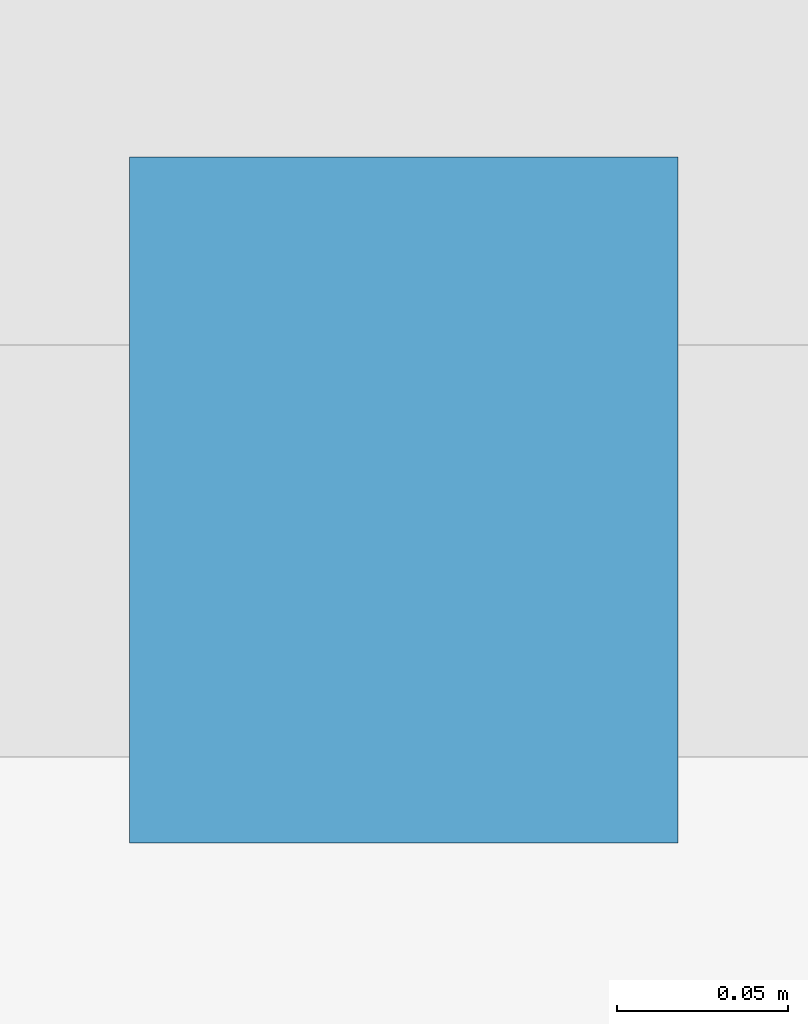
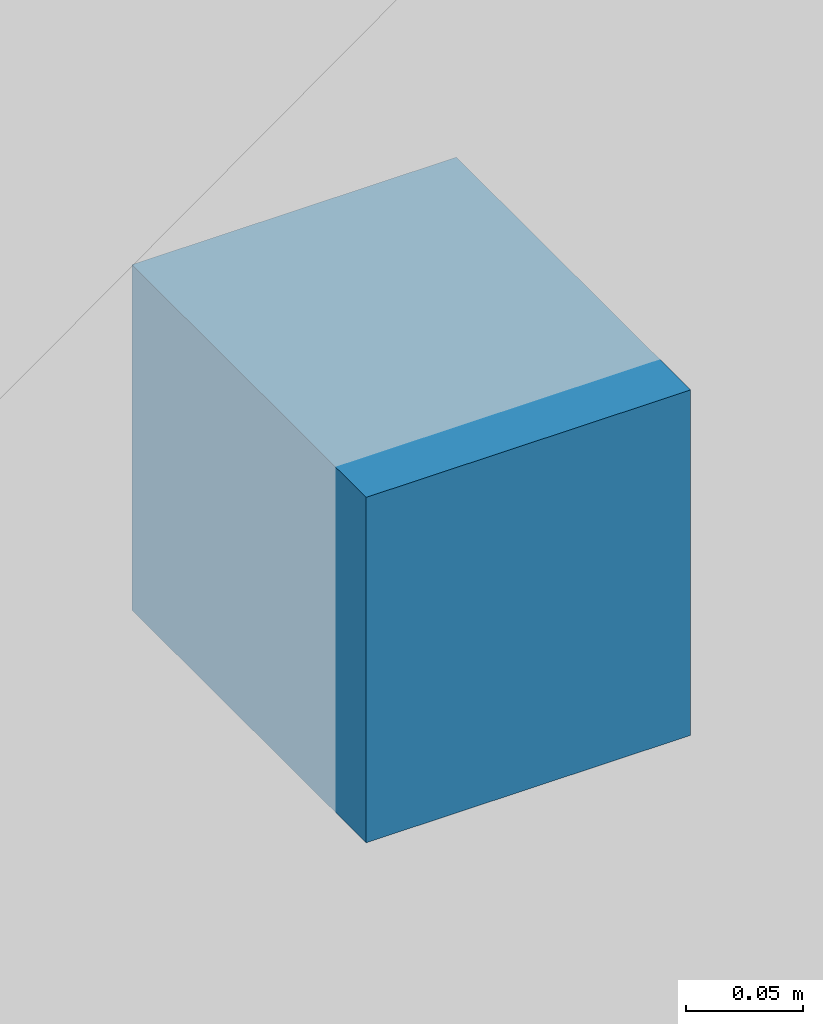
# One storey, part 15 of 20: 1 discrete accessory.
"""IFC4 building model written with IfcOpenShell, lengths in metres."""

import ifcopenshell
import ifcopenshell.guid

model = None  # the IFC model being written
_history = None  # IfcOwnerHistory: only IFC2X3 demands one
_inside = {}  # id of a spatial element -> (the spatial element, [elements in it])
_under = {}  # id of a project, library or spatial element -> (it, [spatial elements below it])
_declared = {}  # id of a project -> (the project, [libraries it declares])
_typed = {}  # id of a type object -> (the type object, [elements of that type])
_made_of = {}  # id of a material, layer set ... -> (it, [elements and type objects made of it])


def new_model(schema):
    """Start an empty IFC model of exactly this schema.

    Asked for "IFC4X3", IfcOpenShell would pick the latest addendum, in which some entities
    have other attributes; the version numbers below select the first issue.
    IFC2X3 requires an IfcOwnerHistory on every rooted entity: one is made here for all.
    """
    global model, _history
    if schema == "IFC4X3":
        model = ifcopenshell.file(schema_version=(4, 3, 0, 0))
    else:
        model = ifcopenshell.file(schema=schema)
    _inside.clear()
    _under.clear()
    _declared.clear()
    _typed.clear()
    _made_of.clear()
    _history = None
    if model.schema == "IFC2X3":
        org = make("IfcOrganization", Name="unknown")
        user = make(
            "IfcPersonAndOrganization",
            ThePerson=make("IfcPerson", FamilyName="unknown"),
            TheOrganization=org,
        )
        app = make(
            "IfcApplication",
            ApplicationDeveloper=org,
            Version="unknown",
            ApplicationFullName="unknown",
            ApplicationIdentifier="unknown",
        )
        _history = make(
            "IfcOwnerHistory",
            OwningUser=user,
            OwningApplication=app,
            ChangeAction="ADDED",
            CreationDate=0,
        )
    return model


def make(cls, **values):
    """One entity of the class cls with the attributes given. An attribute that is None is left unset."""
    return model.create_entity(
        cls, **{name: value for name, value in values.items() if value is not None}
    )


def rooted(cls, **values):
    """An entity with a GlobalId (a new one), such as an element, a storey or a relation."""
    return make(cls, GlobalId=ifcopenshell.guid.new(), OwnerHistory=_history, **values)


def si_unit(unit_type, name, prefix=None):
    """IfcSIUnit, for example si_unit("LENGTHUNIT", "METRE", prefix="MILLI")."""
    return make("IfcSIUnit", UnitType=unit_type, Prefix=prefix, Name=name)


def assignment(units):
    """IfcUnitAssignment: the units of a project."""
    return None if units is None else make("IfcUnitAssignment", Units=units)


def point(xyz):
    """IfcCartesianPoint."""
    return None if xyz is None else make("IfcCartesianPoint", Coordinates=xyz)


def direction(xyz):
    """IfcDirection."""
    return None if xyz is None else make("IfcDirection", DirectionRatios=xyz)


def frame(location, z_axis=None, x_axis=None):
    """IfcAxis2Placement3D, a coordinate frame: its origin and axes. An axis left out is left unset."""
    return make(
        "IfcAxis2Placement3D",
        Location=point(location),
        Axis=direction(z_axis),
        RefDirection=direction(x_axis),
    )


def frame_2d(location, x_axis=None):
    """IfcAxis2Placement2D, a coordinate frame in the plane: its origin and x axis."""
    return make(
        "IfcAxis2Placement2D", Location=point(location), RefDirection=direction(x_axis)
    )


def origin():
    """The frame at (0, 0, 0) with its axes left unset."""
    return frame((0.0, 0.0, 0.0))


def origin_2d():
    """The frame at (0, 0) in the plane with its x axis left unset."""
    return frame_2d((0.0, 0.0))


def place(relative_to, where):
    """IfcLocalPlacement: puts the frame where relative to a parent placement (None: the world)."""
    return make(
        "IfcLocalPlacement", PlacementRelTo=relative_to, RelativePlacement=where
    )


def context(
    kind, dimensions, precision=None, world=None, true_north=None, identifier=None
):
    """IfcGeometricRepresentationContext, for example the 3D "Model" context."""
    return make(
        "IfcGeometricRepresentationContext",
        ContextIdentifier=identifier,
        ContextType=kind,
        CoordinateSpaceDimension=dimensions,
        Precision=precision,
        WorldCoordinateSystem=world,
        TrueNorth=true_north,
    )


def subcontext(parent, identifier, kind, view, scale=None):
    """IfcGeometricRepresentationSubContext, for example "Body" below "Model"."""
    return make(
        "IfcGeometricRepresentationSubContext",
        ContextIdentifier=identifier,
        ContextType=kind,
        ParentContext=parent,
        TargetScale=scale,
        TargetView=view,
    )


def project(units=None, contexts=None):
    """IfcProject with its units and contexts."""
    return rooted(
        "IfcProject",
        Name="project",
        RepresentationContexts=contexts,
        UnitsInContext=assignment(units),
    )


def spatial(cls, under=None, at=None, **own):
    """A site, building, storey or space (cls), placed at a placement, below another one or the project."""
    s = rooted(cls, ObjectPlacement=at, **own)
    if under is not None:
        _under.setdefault(under.id(), (under, []))[1].append(s)
    return s


def profile(cls, at=None, kind="AREA", **sizes):
    """A parametric profile (cls). Its sizes go by their IFC names, for example OverallWidth=200.0."""
    return make(cls, ProfileType=kind, Position=at, **sizes)


def rectangle(**sizes):
    """IfcRectangleProfileDef."""
    return profile("IfcRectangleProfileDef", **sizes)


def extrude(swept, where, along, depth):
    """IfcExtrudedAreaSolid: the profile swept, set in the frame where, extruded along a direction by depth."""
    return make(
        "IfcExtrudedAreaSolid",
        SweptArea=swept,
        Position=where,
        ExtrudedDirection=direction(along),
        Depth=depth,
    )


def shape(context_of_items, identifier, shape_type, items):
    """IfcShapeRepresentation: the items that make up one representation, for example the "Body"."""
    return make(
        "IfcShapeRepresentation",
        ContextOfItems=context_of_items,
        RepresentationIdentifier=identifier,
        RepresentationType=shape_type,
        Items=items,
    )


def material(Name=None, Category=None):
    """IfcMaterial."""
    return make("IfcMaterial", Name=Name, Category=Category)


def made_of(thing, what):
    """Note that an element or type object is made of a material, layer set ...; save() writes the relation."""
    if what is not None:
        _made_of.setdefault(what.id(), (what, []))[1].append(thing)
    return thing


def type_object(cls, material=None, **own):
    """A type object (cls), such as IfcWallType, which elements share."""
    return made_of(rooted(cls, **own), material)


def element(
    cls,
    number,
    at=None,
    inside=None,
    cuts=None,
    type_object=None,
    material=None,
    context=None,
    identifier="Body",
    shape_type=None,
    held_by="IfcProductDefinitionShape",
    body=None,
    shapes=None,
    **own,
):
    """One element of the class cls, such as IfcWall. Its Tag is "e" and its number.

    at: its placement. inside: the storey or other place that contains it. cuts: it is an
    opening in that element (IfcRelVoidsElement). A single representation is given by context,
    identifier, shape_type and body (its items); several are given by shapes. held_by: the class
    of the entity that holds the representations. save() writes the other relations.
    """
    e = rooted(cls, Tag="e%d" % number, ObjectPlacement=at, **own)
    if body is not None:
        shapes = [shape(context, identifier, shape_type, body)]
    if shapes is not None:
        e.Representation = make(held_by, Representations=shapes)
    if inside is not None:
        _inside.setdefault(inside.id(), (inside, []))[1].append(e)
    if cuts is not None:
        rooted(
            "IfcRelVoidsElement", RelatingBuildingElement=cuts, RelatedOpeningElement=e
        )
    if type_object is not None:
        _typed.setdefault(type_object.id(), (type_object, []))[1].append(e)
    return made_of(e, material)


def aggregate(whole, parts):
    """IfcRelAggregates: a whole, such as a stair, and the parts it consists of."""
    return rooted("IfcRelAggregates", RelatingObject=whole, RelatedObjects=parts)


def save(model, path):
    """Write the relations noted so far, then the file.

    IfcRelAggregates (storeys below a building ...), IfcRelContainedInSpatialStructure (elements
    in a storey), IfcRelDefinesByType, IfcRelAssociatesMaterial and IfcRelDeclares: one each for
    every whole, place, type object, material and project.
    """
    for whole, parts in _under.values():
        aggregate(whole, parts)
    for where, things in _inside.values():
        rooted(
            "IfcRelContainedInSpatialStructure",
            RelatedElements=things,
            RelatingStructure=where,
        )
    for kind, things in _typed.values():
        rooted("IfcRelDefinesByType", RelatedObjects=things, RelatingType=kind)
    for what, things in _made_of.values():
        rooted("IfcRelAssociatesMaterial", RelatedObjects=things, RelatingMaterial=what)
    for by, libraries in _declared.values():
        rooted("IfcRelDeclares", RelatingContext=by, RelatedDefinitions=libraries)
    model.write(path)


model = new_model("IFC4")

# Units and contexts
model_context = context("Model", 3, precision=1e-05, world=origin(), true_north=direction((0.0, 1.0)))
body_context = subcontext(model_context, "Body", "Model", "MODEL_VIEW")
ifc_project = project(units=[si_unit("LENGTHUNIT", "METRE"), si_unit("AREAUNIT", "SQUARE_METRE"), si_unit("VOLUMEUNIT", "CUBIC_METRE"), si_unit("PLANEANGLEUNIT", "RADIAN"), si_unit("MASSUNIT", "GRAM", prefix="KILO")], contexts=[model_context])

# Site, building, storey
site_placement = place(None, origin())
site = spatial("IfcSite", under=ifc_project, at=site_placement, CompositionType="ELEMENT")
building_placement = place(site_placement, origin())
building = spatial("IfcBuilding", under=site, at=building_placement, Name="Koriwani Terraces Tower", CompositionType="ELEMENT")
storey_placement = place(building_placement, frame((0.0, 0.0, 58.60009765625)))
storey = spatial("IfcBuildingStorey", under=building, at=storey_placement, Name="L13", CompositionType="ELEMENT", Elevation=58.60009765625)

# Discrete accessory
ifc_material = material(Name="Steel ASTM A572 Grade 50", Category="steel")
discrete_accessory_type = type_object("IfcDiscreteAccessoryType", Name="BAGUETTE_STANDOFF_BRACKET", PredefinedType="BRACKET", material=ifc_material)
discrete_accessory_placement = place(storey_placement, frame((71.39990234375, 33.2099609375, 1.68505859375), z_axis=(0.0, 0.0, 1.0), x_axis=(1.0, 0.0, 0.0)))
element("IfcDiscreteAccessory", 1, at=discrete_accessory_placement, inside=storey, type_object=discrete_accessory_type, Name="L13 Terracotta Baguette Bracket (NE-14)", PredefinedType="BRACKET", context=body_context, shape_type="SweptSolid", body=[
    extrude(rectangle(XDim=0.159912109375, YDim=0.199951171875, at=origin_2d()), origin(), (0.0, 0.0, 1.0), 0.179931640625),
])

save(model, "model.ifc")
